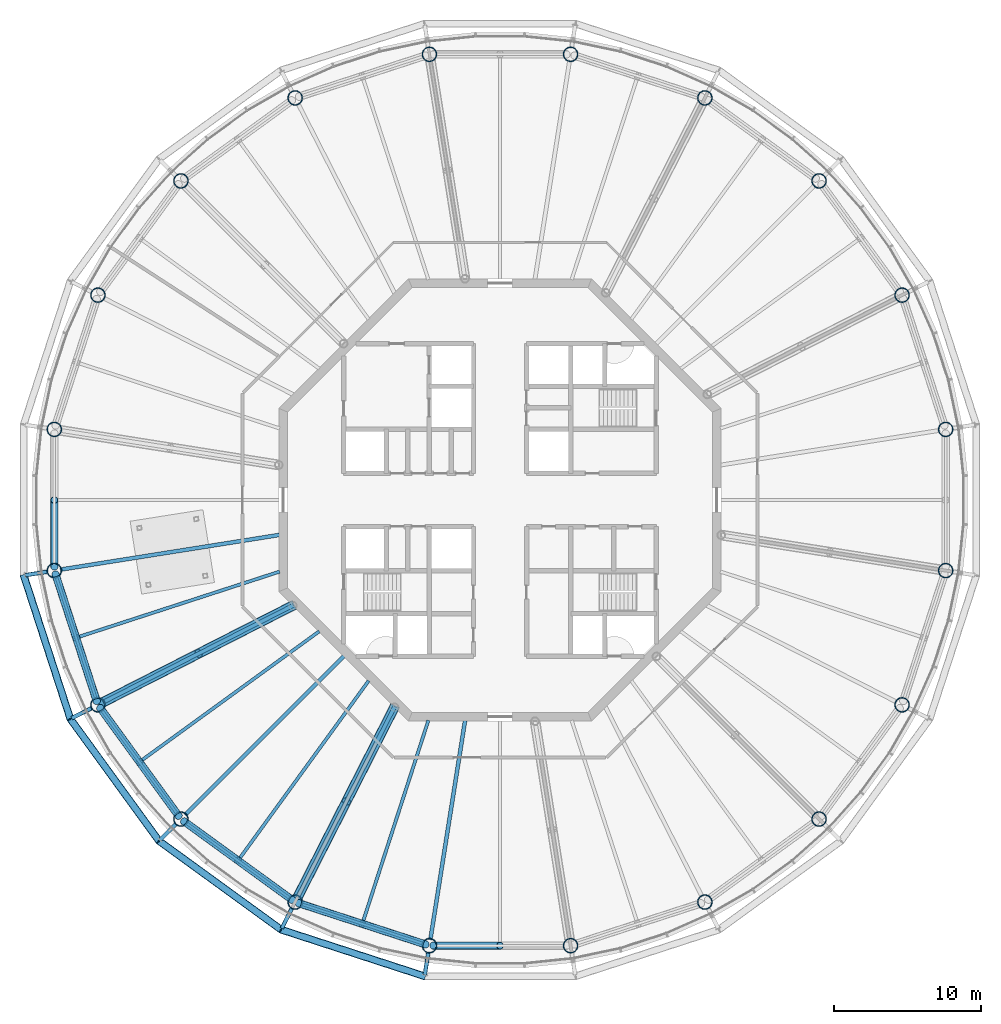
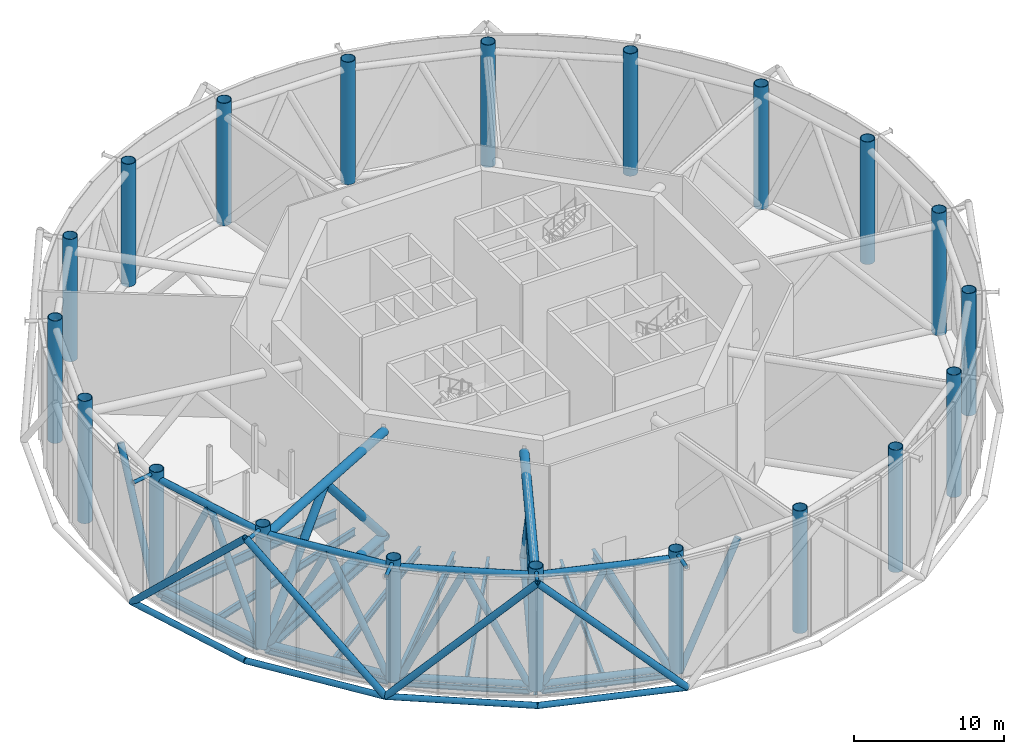
# One storey, part 1 of 23: 39 members, 20 columns, 13 beams.
"""IFC4 building model written with IfcOpenShell, lengths in metres."""

from ifc_helpers import new_model, si_unit, direction, frame, origin, origin_2d, place, context, subcontext, project, spatial, circle, hollow_circle, i_section, extrude, material, material_profile, profile_set, type_object, element, save


model = new_model("IFC4")

# Units and contexts
model_context = context("Model", 3, precision=1e-05, world=origin(), true_north=direction((0.0, 1.0)))
body_context = subcontext(model_context, "Body", "Model", "MODEL_VIEW")
ifc_project = project(units=[si_unit("LENGTHUNIT", "METRE"), si_unit("AREAUNIT", "SQUARE_METRE"), si_unit("VOLUMEUNIT", "CUBIC_METRE"), si_unit("PLANEANGLEUNIT", "RADIAN"), si_unit("MASSUNIT", "GRAM", prefix="KILO")], contexts=[model_context])

# Site, building, storey
site_placement = place(None, origin())
site = spatial("IfcSite", under=ifc_project, at=site_placement, CompositionType="ELEMENT")
building_placement = place(site_placement, origin())
building = spatial("IfcBuilding", under=site, at=building_placement, Name="Entoto Ring Tower", CompositionType="ELEMENT")
storey_placement = place(building_placement, frame((0.0, 0.0, 392.0)))
storey = spatial("IfcBuildingStorey", under=building, at=storey_placement, Name="L91", CompositionType="ELEMENT", Elevation=392.0)

# Columns
ifc_material_1 = material(Name="Steel S355", Category="steel")
ifc_material_profile_1 = material_profile(ifc_material_1, hollow_circle(Radius=0.5, WallThickness=0.044921875, at=origin_2d()), Name="CHS 1000 x 45")
ifc_material_2 = material(Name="Concrete C60/75", Category="concrete")
ifc_material_profile_2 = material_profile(ifc_material_2, circle(Radius=0.455078125, at=origin_2d()), Name="Concrete C60/75 infill")
ifc_profile_set_1 = profile_set([ifc_material_profile_1, ifc_material_profile_2], Name="Steel S355")
column_type = type_object("IfcColumnType", Name="Ring column 1000 x 45 concrete-filled tube", PredefinedType="COLUMN", material=ifc_profile_set_1)
for number, where, z_axis, x_axis, name in (
    (1, (120.22314453125, 84.786865234375, 0.0), (0.0, 0.0, 1.0), (1.0, 0.0, 0.0), "RC6B R01"),
    (2, (117.264892578125, 93.89208984375, 0.0), (0.0, 0.0, 1.0), (1.0, 0.0, 0.0), "RC6B R02"),
    (3, (111.637451171875, 101.637451171875, 0.0), (0.0, 0.0, 1.0), (1.0, 0.0, 0.0), "RC6B R03"),
    (4, (103.89208984375, 107.264892578125, 0.0), (0.0, 0.0, 1.0), (1.0, 0.0, 0.0), "RC6B R04"),
    (5, (94.786865234375, 110.22314453125, 0.0), (0.0, 0.0, 1.0), (1.0, 0.0, 0.0), "RC6B R05"),
    (6, (85.213134765625, 110.22314453125, 0.0), (0.0, 0.0, 1.0), (1.0, 0.0, 0.0), "RC6B R06"),
    (7, (76.10791015625, 107.264892578125, 0.0), (0.0, 0.0, 1.0), (1.0, 0.0, 0.0), "RC6B R07"),
    (8, (68.362548828125, 101.637451171875, 0.0), (0.0, 0.0, 1.0), (1.0, 0.0, 0.0), "RC6B R08"),
    (9, (62.735107421875, 93.89208984375, 0.0), (0.0, 0.0, 1.0), (1.0, 0.0, 0.0), "RC6B R09"),
    (10, (59.77685546875, 84.786865234375, 0.0), (0.0, 0.0, 1.0), (1.0, 0.0, 0.0), "RC6B R10"),
    (11, (59.77685546875, 75.213134765625, 0.0), (0.0, 0.0, 1.0), (1.0, 0.0, 0.0), "RC6B R11"),
    (12, (62.735107421875, 66.10791015625, 0.0), (0.0, 0.0, 1.0), (1.0, 0.0, 0.0), "RC6B R12"),
    (13, (68.362548828125, 58.362548828125, 0.0), (0.0, 0.0, 1.0), (1.0, 0.0, 0.0), "RC6B R13"),
    (14, (76.10791015625, 52.735107421875, 0.0), (0.0, 0.0, 1.0), (1.0, 0.0, 0.0), "RC6B R14"),
    (15, (85.213134765625, 49.77685546875, 0.0), (0.0, 0.0, 1.0), (1.0, 0.0, 0.0), "RC6B R15"),
    (16, (94.786865234375, 49.77685546875, 0.0), (0.0, 0.0, 1.0), (1.0, 0.0, 0.0), "RC6B R16"),
    (17, (103.89208984375, 52.735107421875, 0.0), (0.0, 0.0, 1.0), (1.0, 0.0, 0.0), "RC6B R17"),
    (18, (111.637451171875, 58.362548828125, 0.0), (0.0, 0.0, 1.0), (1.0, 0.0, 0.0), "RC6B R18"),
    (19, (117.264892578125, 66.10791015625, 0.0), (0.0, 0.0, 1.0), (1.0, 0.0, 0.0), "RC6B R19"),
    (20, (120.22314453125, 75.213134765625, 0.0), (0.0, 0.0, 1.0), (1.0, 0.0, 0.0), "RC6B R20"),
):
    element("IfcColumn", number, at=place(storey_placement, frame(where, z_axis=z_axis, x_axis=x_axis)), inside=storey, type_object=column_type, Name=name, PredefinedType="COLUMN", context=body_context, shape_type="SweptSolid", body=[
        extrude(hollow_circle(Radius=0.5, WallThickness=0.044921875, at=origin_2d()), origin(), (0.0, 0.0, 1.0), 10.0),
    ])

# Members
ifc_material_3 = material(Name="Steel S355", Category="steel")
ifc_material_profile_3 = material_profile(ifc_material_3, hollow_circle(Radius=0.25390625, WallThickness=0.030029296875, at=origin_2d()), Name="CHS 508 x 30")
ifc_material_4 = material(Name="Concrete C60/75", Category="concrete")
ifc_material_profile_4 = material_profile(ifc_material_4, circle(Radius=0.22412109375, at=origin_2d()), Name="Concrete C60/75 infill")
ifc_profile_set_2 = profile_set([ifc_material_profile_3, ifc_material_profile_4], Name="Steel S355")
member_type_1 = type_object("IfcMemberType", Name="Diagrid diagonal 508 x 30 concrete-filled tube", PredefinedType="BRACE", material=ifc_profile_set_2)
member_1_placement = place(storey_placement, frame((57.70263671875, 74.884521484375, 0.0), z_axis=(0.220979790543, -0.680124223671, 0.698998549746), x_axis=(0.95105896794, 0.309009448885, 0.0)))
element("IfcMember", 21, at=member_1_placement, inside=storey, type_object=member_type_1, Name="DG7 module 29 12", PredefinedType="BRACE", context=body_context, shape_type="SweptSolid", body=[
    extrude(hollow_circle(Radius=0.25390625, WallThickness=0.030029296875, at=origin_2d()), origin(), (0.0, 0.0, 1.0), 14.30615234375),
])
for number, where, z_axis, x_axis, name in (
    (22, (66.877685546875, 56.877685546875, 0.0), (-0.420350928989, 0.578545680196, 0.698992126153), (-0.809008424404, -0.587797047665, 0.0), "DG7 module 29 13"),
    (23, (66.877685546875, 56.877685546875, 0.0), (0.578545680196, -0.420350928989, 0.698992126153), (0.587797047665, 0.809008424404, 0.0), "DG7 module 29 14"),
):
    element("IfcMember", number, at=place(storey_placement, frame(where, z_axis=z_axis, x_axis=x_axis)), inside=storey, type_object=member_type_1, Name=name, PredefinedType="BRACE", context=body_context, shape_type="SweptSolid", body=[
        extrude(hollow_circle(Radius=0.25390625, WallThickness=0.030029296875, at=origin_2d()), origin(), (0.0, 0.0, 1.0), 14.306396484375),
    ])
member_2_placement = place(storey_placement, frame((84.884521484375, 47.70263671875, 0.0), z_axis=(-0.680124223671, 0.220979790543, 0.698998549746), x_axis=(-0.309009448885, -0.95105896794, 0.0)))
element("IfcMember", 24, at=member_2_placement, inside=storey, type_object=member_type_1, Name="DG7 module 29 15", PredefinedType="BRACE", context=body_context, shape_type="SweptSolid", body=[
    extrude(hollow_circle(Radius=0.25390625, WallThickness=0.030029296875, at=origin_2d()), origin(), (0.0, 0.0, 1.0), 14.30615234375),
])
ifc_material_5 = material(Name="Steel S355", Category="steel")
ifc_material_profile_5 = material_profile(ifc_material_5, hollow_circle(Radius=0.136474609375, WallThickness=0.012451171875, at=origin_2d()), Name="CHS 273 x 12.5")
ifc_material_6 = material(Name="Concrete C60/75", Category="concrete")
ifc_material_profile_6 = material_profile(ifc_material_6, circle(Radius=0.1240234375, at=origin_2d()), Name="Concrete C60/75 infill")
ifc_profile_set_3 = profile_set([ifc_material_profile_5, ifc_material_profile_6], Name="Steel S355")
member_type_2 = type_object("IfcMemberType", Name="Diagrid node strut 273 x 12.5", PredefinedType="STRUT", material=ifc_profile_set_3)
member_3_placement = place(storey_placement, frame((59.321533203125, 75.14111328125, 9.71337890625), z_axis=(-0.987670196765, -0.156548977711, 0.0), x_axis=(0.156548977711, -0.987670196765, 0.0)))
element("IfcMember", 25, at=member_3_placement, inside=storey, type_object=member_type_2, Name="DS2 strut ring 29 10", PredefinedType="STRUT", context=body_context, shape_type="SweptSolid", body=[
    extrude(hollow_circle(Radius=0.136474609375, WallThickness=0.012451171875, at=origin_2d()), origin(), (0.0, 0.0, 1.0), 1.539306640625),
])
member_4_placement = place(storey_placement, frame((62.324462890625, 65.898681640625, 9.71337890625), z_axis=(-0.891006809714, -0.453989939363, 0.0), x_axis=(0.453989939363, -0.891006809714, 0.0)))
element("IfcMember", 26, at=member_4_placement, inside=storey, type_object=member_type_2, Name="DS2 strut ring 29 11", PredefinedType="STRUT", context=body_context, shape_type="SweptSolid", body=[
    extrude(hollow_circle(Radius=0.136474609375, WallThickness=0.012451171875, at=origin_2d()), origin(), (0.0, 0.0, 1.0), 1.5390625),
])
member_5_placement = place(storey_placement, frame((68.03662109375, 58.03662109375, 9.71337890625), z_axis=(-0.707106781187, -0.707106781187, 0.0), x_axis=(0.707106781187, -0.707106781187, 0.0)))
element("IfcMember", 27, at=member_5_placement, inside=storey, type_object=member_type_2, Name="DS2 strut ring 29 12", PredefinedType="STRUT", context=body_context, shape_type="SweptSolid", body=[
    extrude(hollow_circle(Radius=0.136474609375, WallThickness=0.012451171875, at=origin_2d()), origin(), (0.0, 0.0, 1.0), 1.539306640625),
])
member_6_placement = place(storey_placement, frame((75.898681640625, 52.324462890625, 9.71337890625), z_axis=(-0.453989939363, -0.891006809714, 0.0), x_axis=(0.891006809714, -0.453989939363, 0.0)))
element("IfcMember", 28, at=member_6_placement, inside=storey, type_object=member_type_2, Name="DS2 strut ring 29 13", PredefinedType="STRUT", context=body_context, shape_type="SweptSolid", body=[
    extrude(hollow_circle(Radius=0.136474609375, WallThickness=0.012451171875, at=origin_2d()), origin(), (0.0, 0.0, 1.0), 1.5390625),
])
member_7_placement = place(storey_placement, frame((85.14111328125, 49.321533203125, 9.71337890625), z_axis=(-0.156548977711, -0.987670196765, 0.0), x_axis=(0.987670196765, -0.156548977711, 0.0)))
element("IfcMember", 29, at=member_7_placement, inside=storey, type_object=member_type_2, Name="DS2 strut ring 29 14", PredefinedType="STRUT", context=body_context, shape_type="SweptSolid", body=[
    extrude(hollow_circle(Radius=0.136474609375, WallThickness=0.012451171875, at=origin_2d()), origin(), (0.0, 0.0, 1.0), 1.539306640625),
])
ifc_material_7 = material(Name="Steel S355", Category="steel")
ifc_material_profile_7 = material_profile(ifc_material_7, hollow_circle(Radius=0.228515625, WallThickness=0.02001953125, at=origin_2d()), Name="CHS 457 x 20")
ifc_material_8 = material(Name="Concrete C60/75", Category="concrete")
ifc_material_profile_8 = material_profile(ifc_material_8, circle(Radius=0.20849609375, at=origin_2d()), Name="Concrete C60/75 infill")
ifc_profile_set_4 = profile_set([ifc_material_profile_7, ifc_material_profile_8], Name="Steel S355")
member_type_3 = type_object("IfcMemberType", Name="Diagrid ring beam 457 x 20", PredefinedType="CHORD", material=ifc_profile_set_4)
member_8_placement = place(storey_placement, frame((57.685302734375, 74.93798828125, 0.0), z_axis=(0.309002809244, -0.951061125206, 0.0), x_axis=(0.951061125206, 0.309002809244, 0.0)))
element("IfcMember", 30, at=member_8_placement, inside=storey, type_object=member_type_3, Name="DR3 ring 28 11", PredefinedType="CHORD", context=body_context, shape_type="SweptSolid", body=[
    extrude(hollow_circle(Radius=0.228515625, WallThickness=0.02001953125, at=origin_2d()), origin(), (0.0, 0.0, 1.0), 10.343017578125),
])
for number, where, z_axis, x_axis, name in (
    (31, (60.8310546875, 65.199951171875, 0.0), (0.587781465034, -0.809019745966, 0.0), (0.809019745966, 0.587781465034, 0.0), "DR3 ring 28 12"),
    (32, (66.83203125, 56.91064453125, 0.0), (0.809019745966, -0.587781465034, 0.0), (0.587781465034, 0.809019745966, 0.0), "DR3 ring 28 13"),
):
    element("IfcMember", number, at=place(storey_placement, frame(where, z_axis=z_axis, x_axis=x_axis)), inside=storey, type_object=member_type_3, Name=name, PredefinedType="CHORD", context=body_context, shape_type="SweptSolid", body=[
        extrude(hollow_circle(Radius=0.228515625, WallThickness=0.02001953125, at=origin_2d()), origin(), (0.0, 0.0, 1.0), 10.34326171875),
    ])
member_9_placement = place(storey_placement, frame((75.10107421875, 50.88134765625, 0.0), z_axis=(0.951061125206, -0.309002809244, 0.0), x_axis=(0.309002809244, 0.951061125206, 0.0)))
element("IfcMember", 33, at=member_9_placement, inside=storey, type_object=member_type_3, Name="DR3 ring 28 14", PredefinedType="CHORD", context=body_context, shape_type="SweptSolid", body=[
    extrude(hollow_circle(Radius=0.228515625, WallThickness=0.02001953125, at=origin_2d()), origin(), (0.0, 0.0, 1.0), 10.343017578125),
])

# Beams
ifc_material_9 = material(Name="Steel S355", Category="steel")
ifc_material_profile_9 = material_profile(ifc_material_9, i_section(OverallWidth=0.179931640625, OverallDepth=0.39990234375, WebThickness=0.008544921875, FlangeThickness=0.013427734375, FilletRadius=0.02099609375, at=origin_2d()), Name="IPE 400")
ifc_profile_set_5 = profile_set([ifc_material_profile_9], Name="Steel S355")
beam_type_1 = type_object("IfcBeamType", Name="Edge beam IPE 400", PredefinedType="SPANDREL", material=ifc_profile_set_5)
beam_1_placement = place(storey_placement, frame((59.90673828125, 74.812744140625, -0.35009765625), z_axis=(0.309030438368, -0.951052147972, 0.0), x_axis=(0.951052147972, 0.309030438368, 0.0)))
element("IfcBeam", 34, at=beam_1_placement, inside=storey, type_object=beam_type_1, Name="Edge beam L91 11", PredefinedType="SPANDREL", context=body_context, shape_type="SweptSolid", body=[
    extrude(i_section(OverallWidth=0.179931640625, OverallDepth=0.39990234375, WebThickness=0.008544921875, FlangeThickness=0.013427734375, FilletRadius=0.02099609375, at=origin_2d()), origin(), (0.0, 0.0, 1.0), 8.732177734375),
])
for number, where, z_axis, x_axis, name in (
    (35, (62.982666015625, 65.767333984375, -0.35009765625), (0.587794254874, -0.80901045354, 0.0), (0.80901045354, 0.587794254874, 0.0), "Edge beam L91 12"),
    (36, (68.703125, 58.115234375, -0.35009765625), (0.80901045354, -0.587794254874, 0.0), (0.587794254874, 0.80901045354, 0.0), "Edge beam L91 13"),
):
    element("IfcBeam", number, at=place(storey_placement, frame(where, z_axis=z_axis, x_axis=x_axis)), inside=storey, type_object=beam_type_1, Name=name, PredefinedType="SPANDREL", context=body_context, shape_type="SweptSolid", body=[
        extrude(i_section(OverallWidth=0.179931640625, OverallDepth=0.39990234375, WebThickness=0.008544921875, FlangeThickness=0.013427734375, FilletRadius=0.02099609375, at=origin_2d()), origin(), (0.0, 0.0, 1.0), 8.73193359375),
    ])
beam_2_placement = place(storey_placement, frame((76.508056640625, 52.605224609375, -0.35009765625), z_axis=(0.951052147972, -0.309030438368, 0.0), x_axis=(0.309030438368, 0.951052147972, 0.0)))
element("IfcBeam", 37, at=beam_2_placement, inside=storey, type_object=beam_type_1, Name="Edge beam L91 14", PredefinedType="SPANDREL", context=body_context, shape_type="SweptSolid", body=[
    extrude(i_section(OverallWidth=0.179931640625, OverallDepth=0.39990234375, WebThickness=0.008544921875, FlangeThickness=0.013427734375, FilletRadius=0.02099609375, at=origin_2d()), origin(), (0.0, 0.0, 1.0), 8.732177734375),
])

# Members
ifc_material_10 = material(Name="Steel S355", Category="steel")
ifc_material_profile_10 = material_profile(ifc_material_10, hollow_circle(Radius=0.330078125, WallThickness=0.031982421875, at=origin_2d()), Name="CHS 660 x 32")
ifc_material_11 = material(Name="Concrete C60/75", Category="concrete")
ifc_material_profile_11 = material_profile(ifc_material_11, circle(Radius=0.298095703125, at=origin_2d()), Name="Concrete C60/75 infill")
ifc_profile_set_6 = profile_set([ifc_material_profile_10, ifc_material_profile_11], Name="Steel S355")
member_type_4 = type_object("IfcMemberType", Name="Outrigger chord 660 x 32", PredefinedType="CHORD", material=ifc_profile_set_6)
for number, where, z_axis, x_axis, name in (
    (38, (76.060546875, 72.8974609375, 0.330078125), (-0.891006825369, -0.453989908638, 0.0), (0.453989908638, -0.891006825369, 0.0), "OR1C L91 bottom 06"),
    (39, (76.060546875, 72.8974609375, 8.76708984375), (-0.891006825369, -0.453989908638, 0.0), (0.453989908638, -0.891006825369, 0.0), "OR1C L91 top 06"),
    (40, (82.8974609375, 66.060546875, 0.330078125), (-0.453989908638, -0.891006825369, 0.0), (0.891006825369, -0.453989908638, 0.0), "OR1C L91 bottom 07"),
    (41, (82.8974609375, 66.060546875, 8.76708984375), (-0.453989908638, -0.891006825369, 0.0), (0.891006825369, -0.453989908638, 0.0), "OR1C L91 top 07"),
):
    element("IfcMember", number, at=place(storey_placement, frame(where, z_axis=z_axis, x_axis=x_axis)), inside=storey, type_object=member_type_4, Name=name, PredefinedType="CHORD", context=body_context, shape_type="SweptSolid", body=[
        extrude(hollow_circle(Radius=0.330078125, WallThickness=0.031982421875, at=origin_2d()), origin(), (0.0, 0.0, 1.0), 14.599853515625),
    ])
ifc_material_12 = material(Name="Steel S355", Category="steel")
ifc_material_profile_12 = material_profile(ifc_material_12, hollow_circle(Radius=0.304931640625, WallThickness=0.030029296875, at=origin_2d()), Name="CHS 610 x 30")
ifc_material_13 = material(Name="Concrete C60/75", Category="concrete")
ifc_material_profile_13 = material_profile(ifc_material_13, circle(Radius=0.27490234375, at=origin_2d()), Name="Concrete C60/75 infill")
ifc_profile_set_7 = profile_set([ifc_material_profile_12, ifc_material_profile_13], Name="Steel S355")
member_type_5 = type_object("IfcMemberType", Name="Outrigger diagonal 610 x 30", PredefinedType="BRACE", material=ifc_profile_set_7)
member_10_placement = place(storey_placement, frame((76.18212890625, 72.95947265625, 0.019287109375), z_axis=(-0.576703882361, -0.293840712084, 0.762279652091), x_axis=(0.453984866353, -0.89100939452, 0.0)))
element("IfcMember", 42, at=member_10_placement, inside=storey, type_object=member_type_5, Name="OR2C L91 06 1", PredefinedType="BRACE", context=body_context, shape_type="SweptSolid", body=[
    extrude(hollow_circle(Radius=0.304931640625, WallThickness=0.030029296875, at=origin_2d()), origin(), (0.0, 0.0, 1.0), 11.475830078125),
])
member_11_placement = place(storey_placement, frame((69.56396484375, 69.58740234375, 8.76708984375), z_axis=(-0.576718132049, -0.293861369037, -0.762260908058), x_axis=(0.454001297508, -0.891001022368, 0.0)))
element("IfcMember", 43, at=member_11_placement, inside=storey, type_object=member_type_5, Name="OR2C L91 06 2", PredefinedType="BRACE", context=body_context, shape_type="SweptSolid", body=[
    extrude(hollow_circle(Radius=0.304931640625, WallThickness=0.030029296875, at=origin_2d()), origin(), (0.0, 0.0, 1.0), 11.447509765625),
])
member_12_placement = place(storey_placement, frame((82.95947265625, 66.18212890625, 0.019287109375), z_axis=(-0.293840712084, -0.576703882361, 0.762279652091), x_axis=(0.89100939452, -0.453984866353, 0.0)))
element("IfcMember", 44, at=member_12_placement, inside=storey, type_object=member_type_5, Name="OR2C L91 07 1", PredefinedType="BRACE", context=body_context, shape_type="SweptSolid", body=[
    extrude(hollow_circle(Radius=0.304931640625, WallThickness=0.030029296875, at=origin_2d()), origin(), (0.0, 0.0, 1.0), 11.475830078125),
])
member_13_placement = place(storey_placement, frame((79.58740234375, 59.56396484375, 8.76708984375), z_axis=(-0.293861369037, -0.576718132049, -0.762260908058), x_axis=(0.891001022368, -0.454001297508, 0.0)))
element("IfcMember", 45, at=member_13_placement, inside=storey, type_object=member_type_5, Name="OR2C L91 07 2", PredefinedType="BRACE", context=body_context, shape_type="SweptSolid", body=[
    extrude(hollow_circle(Radius=0.304931640625, WallThickness=0.030029296875, at=origin_2d()), origin(), (0.0, 0.0, 1.0), 11.447509765625),
])

# Beams
ifc_material_14 = material(Name="Steel S355", Category="steel")
ifc_material_profile_14 = material_profile(ifc_material_14, i_section(OverallWidth=0.262939453125, OverallDepth=0.7529296875, WebThickness=0.011474609375, FlangeThickness=0.01708984375, FilletRadius=0.01708984375, at=origin_2d()), Name="IPE 750 x 137")
ifc_profile_set_8 = profile_set([ifc_material_profile_14], Name="Steel S355")
beam_type_2 = type_object("IfcBeamType", Name="Primary floor beam IPE 750 x 137", PredefinedType="BEAM", material=ifc_profile_set_8)
beam_3_placement = place(storey_placement, frame((75.040283203125, 77.630615234375, -0.526611328125), z_axis=(-0.987688638122, -0.156432586517, 0.0), x_axis=(0.156432586517, -0.987688638122, 0.0)))
element("IfcBeam", 46, at=beam_3_placement, inside=storey, type_object=beam_type_2, Name="Primary L91 R11", PredefinedType="BEAM", context=body_context, shape_type="SweptSolid", body=[
    extrude(i_section(OverallWidth=0.262939453125, OverallDepth=0.7529296875, WebThickness=0.011474609375, FlangeThickness=0.01708984375, FilletRadius=0.01708984375, at=origin_2d()), origin(), (0.0, 0.0, 1.0), 15.04345703125),
])
beam_4_placement = place(storey_placement, frame((76.0029296875, 72.8681640625, -0.526611328125), z_axis=(-0.89100578373, -0.453991952968, 0.0), x_axis=(0.453991952968, -0.89100578373, 0.0)))
element("IfcBeam", 47, at=beam_4_placement, inside=storey, type_object=beam_type_2, Name="Primary L91 R12", PredefinedType="BEAM", context=body_context, shape_type="SweptSolid", body=[
    extrude(i_section(OverallWidth=0.262939453125, OverallDepth=0.7529296875, WebThickness=0.011474609375, FlangeThickness=0.01708984375, FilletRadius=0.01708984375, at=origin_2d()), origin(), (0.0, 0.0, 1.0), 14.48046875),
])
beam_5_placement = place(storey_placement, frame((79.407470703125, 69.407470703125, -0.526611328125), z_axis=(-0.707106781187, -0.707106781187, 0.0), x_axis=(0.707106781187, -0.707106781187, 0.0)))
element("IfcBeam", 48, at=beam_5_placement, inside=storey, type_object=beam_type_2, Name="Primary L91 R13", PredefinedType="BEAM", context=body_context, shape_type="SweptSolid", body=[
    extrude(i_section(OverallWidth=0.262939453125, OverallDepth=0.7529296875, WebThickness=0.011474609375, FlangeThickness=0.01708984375, FilletRadius=0.01708984375, at=origin_2d()), origin(), (0.0, 0.0, 1.0), 15.209716796875),
])
beam_6_placement = place(storey_placement, frame((82.8681640625, 66.0029296875, -0.526611328125), z_axis=(-0.453991952968, -0.89100578373, 0.0), x_axis=(0.89100578373, -0.453991952968, 0.0)))
element("IfcBeam", 49, at=beam_6_placement, inside=storey, type_object=beam_type_2, Name="Primary L91 R14", PredefinedType="BEAM", context=body_context, shape_type="SweptSolid", body=[
    extrude(i_section(OverallWidth=0.262939453125, OverallDepth=0.7529296875, WebThickness=0.011474609375, FlangeThickness=0.01708984375, FilletRadius=0.01708984375, at=origin_2d()), origin(), (0.0, 0.0, 1.0), 14.48046875),
])
beam_7_placement = place(storey_placement, frame((87.630615234375, 65.040283203125, -0.526611328125), z_axis=(-0.156432586517, -0.987688638122, 0.0), x_axis=(0.987688638122, -0.156432586517, 0.0)))
element("IfcBeam", 50, at=beam_7_placement, inside=storey, type_object=beam_type_2, Name="Primary L91 R15", PredefinedType="BEAM", context=body_context, shape_type="SweptSolid", body=[
    extrude(i_section(OverallWidth=0.262939453125, OverallDepth=0.7529296875, WebThickness=0.011474609375, FlangeThickness=0.01708984375, FilletRadius=0.01708984375, at=origin_2d()), origin(), (0.0, 0.0, 1.0), 15.04345703125),
])

# Members
ifc_material_15 = material(Name="Steel S355", Category="steel")
ifc_material_profile_15 = material_profile(ifc_material_15, hollow_circle(Radius=0.25390625, WallThickness=0.030029296875, at=origin_2d()), Name="CHS 508 x 30")
ifc_material_16 = material(Name="Concrete C60/75", Category="concrete")
ifc_material_profile_16 = material_profile(ifc_material_16, circle(Radius=0.22412109375, at=origin_2d()), Name="Concrete C60/75 infill")
ifc_profile_set_9 = profile_set([ifc_material_profile_15, ifc_material_profile_16], Name="Steel S355")
member_type_6 = type_object("IfcMemberType", Name="Ring truss chord 508 x 30", PredefinedType="CHORD", material=ifc_profile_set_9)
for number, where, z_axis, x_axis, name in (
    (51, (59.903564453125, 74.822509765625, 0.25390625), (0.309030568907, -0.951052105555, 0.0), (0.951052105555, 0.309030568907, 0.0), "BT1 L91 bottom 11"),
    (52, (59.903564453125, 74.822509765625, 9.196044921875), (0.309030568907, -0.951052105555, 0.0), (0.951052105555, 0.309030568907, 0.0), "BT1 L91 top 11"),
):
    element("IfcMember", number, at=place(storey_placement, frame(where, z_axis=z_axis, x_axis=x_axis)), inside=storey, type_object=member_type_6, Name=name, PredefinedType="CHORD", context=body_context, shape_type="SweptSolid", body=[
        extrude(hollow_circle(Radius=0.25390625, WallThickness=0.030029296875, at=origin_2d()), origin(), (0.0, 0.0, 1.0), 8.752685546875),
    ])
for number, where, z_axis, x_axis, name in (
    (53, (62.9765625, 65.775634765625, 0.25390625), (0.58778684175, -0.809015839564, 0.0), (0.809015839564, 0.58778684175, 0.0), "BT1 L91 bottom 12"),
    (54, (62.9765625, 65.775634765625, 9.196044921875), (0.58778684175, -0.809015839564, 0.0), (0.809015839564, 0.58778684175, 0.0), "BT1 L91 top 12"),
    (55, (68.69482421875, 58.12109375, 0.25390625), (0.809015839564, -0.58778684175, 0.0), (0.58778684175, 0.809015839564, 0.0), "BT1 L91 bottom 13"),
    (56, (68.69482421875, 58.12109375, 9.196044921875), (0.809015839564, -0.58778684175, 0.0), (0.58778684175, 0.809015839564, 0.0), "BT1 L91 top 13"),
):
    element("IfcMember", number, at=place(storey_placement, frame(where, z_axis=z_axis, x_axis=x_axis)), inside=storey, type_object=member_type_6, Name=name, PredefinedType="CHORD", context=body_context, shape_type="SweptSolid", body=[
        extrude(hollow_circle(Radius=0.25390625, WallThickness=0.030029296875, at=origin_2d()), origin(), (0.0, 0.0, 1.0), 8.75244140625),
    ])
for number, where, z_axis, x_axis, name in (
    (57, (76.498291015625, 52.6083984375, 0.25390625), (0.951052105555, -0.309030568907, 0.0), (0.309030568907, 0.951052105555, 0.0), "BT1 L91 bottom 14"),
    (58, (76.498291015625, 52.6083984375, 9.196044921875), (0.951052105555, -0.309030568907, 0.0), (0.309030568907, 0.951052105555, 0.0), "BT1 L91 top 14"),
):
    element("IfcMember", number, at=place(storey_placement, frame(where, z_axis=z_axis, x_axis=x_axis)), inside=storey, type_object=member_type_6, Name=name, PredefinedType="CHORD", context=body_context, shape_type="SweptSolid", body=[
        extrude(hollow_circle(Radius=0.25390625, WallThickness=0.030029296875, at=origin_2d()), origin(), (0.0, 0.0, 1.0), 8.752685546875),
    ])
ifc_material_17 = material(Name="Steel S355", Category="steel")
ifc_material_profile_17 = material_profile(ifc_material_17, hollow_circle(Radius=0.25390625, WallThickness=0.02490234375, at=origin_2d()), Name="CHS 508 x 25")
ifc_material_18 = material(Name="Concrete C60/75", Category="concrete")
ifc_material_profile_18 = material_profile(ifc_material_18, circle(Radius=0.22900390625, at=origin_2d()), Name="Concrete C60/75 infill")
ifc_profile_set_10 = profile_set([ifc_material_profile_17, ifc_material_profile_18], Name="Steel S355")
member_type_7 = type_object("IfcMemberType", Name="Ring truss diagonal 508 x 25", PredefinedType="BRACE", material=ifc_profile_set_10)
for number, where, z_axis, x_axis, name in (
    (59, (59.77685546875, 80.0, 9.196044921875), (0.0, -0.432298018271, -0.901730793197), (1.0, 0.0, 0.0), "BT2A L91 10 b"),
    (60, (59.857666015625, 74.963623046875, -0.241943359375), (0.133587071211, -0.411141211308, 0.901730225051), (0.951057064429, 0.309015307386, 0.0), "BT2A L91 11 a"),
    (61, (61.255859375, 70.660400390625, 9.196044921875), (0.133588352321, -0.411121828123, -0.901738872715), (0.951051911595, 0.309031165827, 0.0), "BT2A L91 11 b"),
    (62, (62.889404296875, 65.895751953125, -0.241943359375), (0.254088134697, -0.349747314022, 0.901729469486), (0.809036973094, 0.587757752962, 0.0), "BT2A L91 12 a"),
    (63, (65.548828125, 62.235107421875, 9.196044921875), (0.25409020754, -0.349726841242, -0.901736825768), (0.809018331801, 0.587783411479, 0.0), "BT2A L91 12 b"),
    (64, (68.57470703125, 58.208251953125, -0.241943359375), (0.349726841242, -0.25409020754, 0.901736825768), (0.587783411479, 0.809018331801, 0.0), "BT2A L91 13 a"),
    (65, (72.235107421875, 55.548828125, 9.196044921875), (0.349747314022, -0.254088134697, -0.901729469486), (0.587757752962, 0.809036973094, 0.0), "BT2A L91 13 b"),
    (66, (76.357421875, 52.654052734375, -0.241943359375), (0.411121828123, -0.133588352321, 0.901738872715), (0.309031165827, 0.951051911595, 0.0), "BT2A L91 14 a"),
    (67, (80.660400390625, 51.255859375, 9.196044921875), (0.411141211308, -0.133587071211, -0.901730225051), (0.309015307386, 0.951057064429, 0.0), "BT2A L91 14 b"),
    (68, (85.475341796875, 49.77685546875, -0.241943359375), (0.432298018271, 0.0, 0.901730793197), (0.0, 1.0, 0.0), "BT2A L91 15 a"),
):
    element("IfcMember", number, at=place(storey_placement, frame(where, z_axis=z_axis, x_axis=x_axis)), inside=storey, type_object=member_type_7, Name=name, PredefinedType="BRACE", context=body_context, shape_type="SweptSolid", body=[
        extrude(hollow_circle(Radius=0.25390625, WallThickness=0.02490234375, at=origin_2d()), origin(), (0.0, 0.0, 1.0), 10.466552734375),
    ])

# Beams
ifc_material_19 = material(Name="Steel S355", Category="steel")
ifc_material_profile_19 = material_profile(ifc_material_19, i_section(OverallWidth=0.219970703125, OverallDepth=0.60009765625, WebThickness=0.011962890625, FlangeThickness=0.01904296875, FilletRadius=0.02392578125, at=origin_2d()), Name="IPE 600")
ifc_profile_set_11 = profile_set([ifc_material_profile_19], Name="Steel S355")
beam_type_3 = type_object("IfcBeamType", Name="Secondary floor beam IPE 600", PredefinedType="JOIST", material=ifc_profile_set_11)
beam_8_placement = place(storey_placement, frame((75.052978515625, 75.143310546875, -0.449951171875), z_axis=(-0.951057212949, -0.309014850288, 0.0), x_axis=(0.309014850288, -0.951057212949, 0.0)))
element("IfcBeam", 69, at=beam_8_placement, inside=storey, type_object=beam_type_3, Name="Secondary beam L91 11", PredefinedType="JOIST", context=body_context, shape_type="SweptSolid", body=[
    extrude(i_section(OverallWidth=0.219970703125, OverallDepth=0.60009765625, WebThickness=0.011962890625, FlangeThickness=0.01904296875, FilletRadius=0.02392578125, at=origin_2d()), origin(), (0.0, 0.0, 1.0), 14.4169921875),
])
for number, where, z_axis, x_axis, name in (
    (70, (77.74365234375, 71.09521484375, -0.449951171875), (-0.809019238239, -0.587782163866, 0.0), (0.587782163866, -0.809019238239, 0.0), "Secondary beam L91 12"),
    (71, (81.09521484375, 67.74365234375, -0.449951171875), (-0.587782163866, -0.809019238239, 0.0), (0.809019238239, -0.587782163866, 0.0), "Secondary beam L91 13"),
):
    element("IfcBeam", number, at=place(storey_placement, frame(where, z_axis=z_axis, x_axis=x_axis)), inside=storey, type_object=beam_type_3, Name=name, PredefinedType="JOIST", context=body_context, shape_type="SweptSolid", body=[
        extrude(i_section(OverallWidth=0.219970703125, OverallDepth=0.60009765625, WebThickness=0.011962890625, FlangeThickness=0.01904296875, FilletRadius=0.02392578125, at=origin_2d()), origin(), (0.0, 0.0, 1.0), 14.983642578125),
    ])
beam_9_placement = place(storey_placement, frame((85.143310546875, 65.052978515625, -0.449951171875), z_axis=(-0.309014850288, -0.951057212949, 0.0), x_axis=(0.951057212949, -0.309014850288, 0.0)))
element("IfcBeam", 72, at=beam_9_placement, inside=storey, type_object=beam_type_3, Name="Secondary beam L91 14", PredefinedType="JOIST", context=body_context, shape_type="SweptSolid", body=[
    extrude(i_section(OverallWidth=0.219970703125, OverallDepth=0.60009765625, WebThickness=0.011962890625, FlangeThickness=0.01904296875, FilletRadius=0.02392578125, at=origin_2d()), origin(), (0.0, 0.0, 1.0), 14.4169921875),
])

save(model, "model.ifc")
